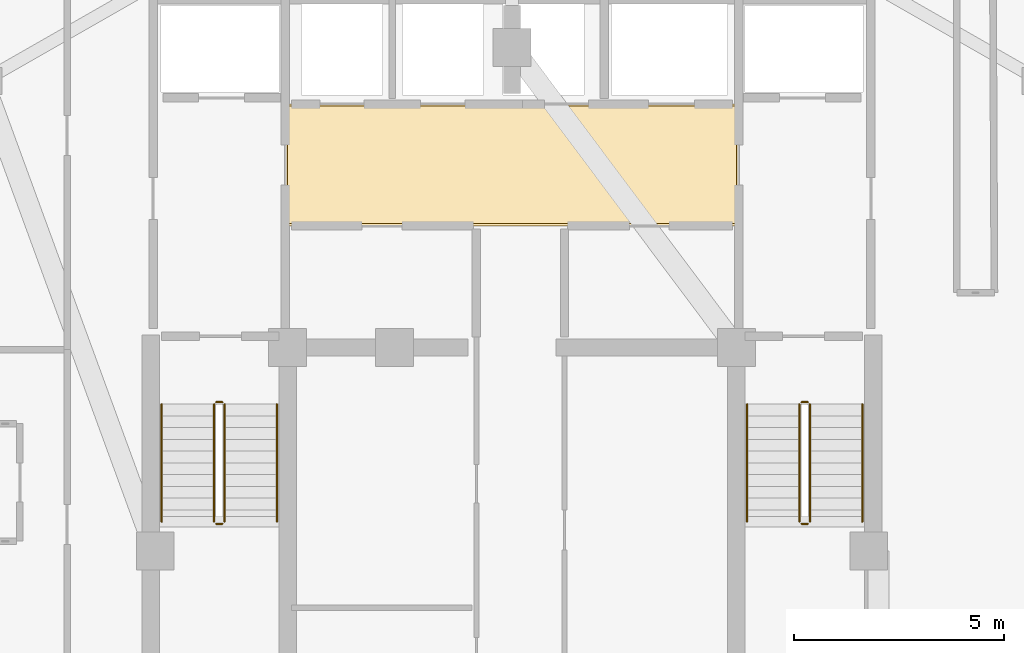
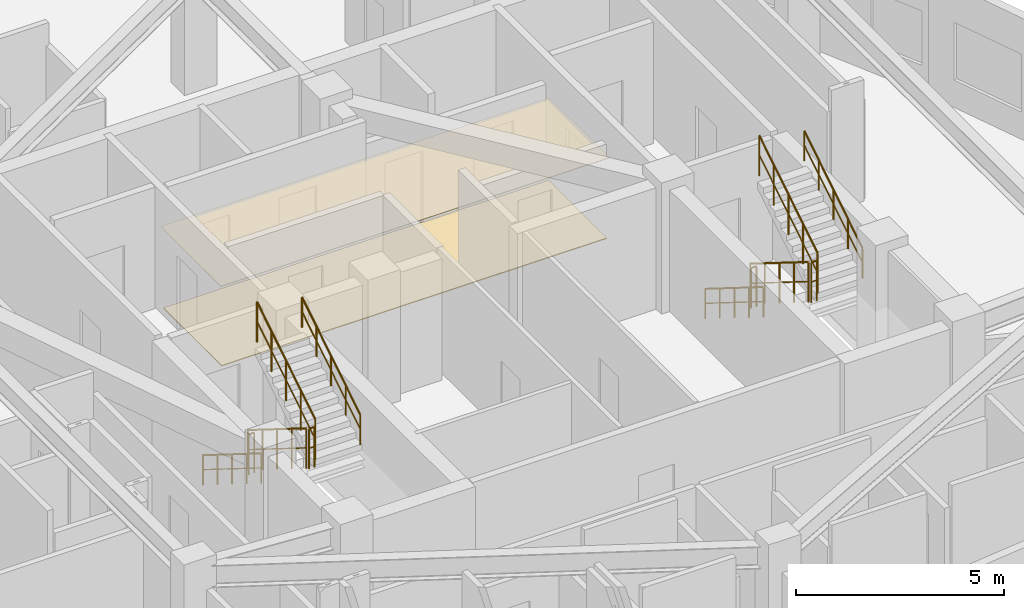
# One storey, part 13 of 13: 12 railings, 2 coverings.
"""IFC4 building model written with IfcOpenShell, lengths in metres."""

import ifcopenshell
import ifcopenshell.guid

model = None  # the IFC model being written
_history = None  # IfcOwnerHistory: only IFC2X3 demands one
_inside = {}  # id of a spatial element -> (the spatial element, [elements in it])
_under = {}  # id of a project, library or spatial element -> (it, [spatial elements below it])
_declared = {}  # id of a project -> (the project, [libraries it declares])
_typed = {}  # id of a type object -> (the type object, [elements of that type])
_made_of = {}  # id of a material, layer set ... -> (it, [elements and type objects made of it])


def new_model(schema):
    """Start an empty IFC model of exactly this schema.

    Asked for "IFC4X3", IfcOpenShell would pick the latest addendum, in which some entities
    have other attributes; the version numbers below select the first issue.
    IFC2X3 requires an IfcOwnerHistory on every rooted entity: one is made here for all.
    """
    global model, _history
    if schema == "IFC4X3":
        model = ifcopenshell.file(schema_version=(4, 3, 0, 0))
    else:
        model = ifcopenshell.file(schema=schema)
    _inside.clear()
    _under.clear()
    _declared.clear()
    _typed.clear()
    _made_of.clear()
    _history = None
    if model.schema == "IFC2X3":
        org = make("IfcOrganization", Name="unknown")
        user = make(
            "IfcPersonAndOrganization",
            ThePerson=make("IfcPerson", FamilyName="unknown"),
            TheOrganization=org,
        )
        app = make(
            "IfcApplication",
            ApplicationDeveloper=org,
            Version="unknown",
            ApplicationFullName="unknown",
            ApplicationIdentifier="unknown",
        )
        _history = make(
            "IfcOwnerHistory",
            OwningUser=user,
            OwningApplication=app,
            ChangeAction="ADDED",
            CreationDate=0,
        )
    return model


def make(cls, **values):
    """One entity of the class cls with the attributes given. An attribute that is None is left unset."""
    return model.create_entity(
        cls, **{name: value for name, value in values.items() if value is not None}
    )


def rooted(cls, **values):
    """An entity with a GlobalId (a new one), such as an element, a storey or a relation."""
    return make(cls, GlobalId=ifcopenshell.guid.new(), OwnerHistory=_history, **values)


def si_unit(unit_type, name, prefix=None):
    """IfcSIUnit, for example si_unit("LENGTHUNIT", "METRE", prefix="MILLI")."""
    return make("IfcSIUnit", UnitType=unit_type, Prefix=prefix, Name=name)


def assignment(units):
    """IfcUnitAssignment: the units of a project."""
    return None if units is None else make("IfcUnitAssignment", Units=units)


def point(xyz):
    """IfcCartesianPoint."""
    return None if xyz is None else make("IfcCartesianPoint", Coordinates=xyz)


def direction(xyz):
    """IfcDirection."""
    return None if xyz is None else make("IfcDirection", DirectionRatios=xyz)


def frame(location, z_axis=None, x_axis=None):
    """IfcAxis2Placement3D, a coordinate frame: its origin and axes. An axis left out is left unset."""
    return make(
        "IfcAxis2Placement3D",
        Location=point(location),
        Axis=direction(z_axis),
        RefDirection=direction(x_axis),
    )


def frame_2d(location, x_axis=None):
    """IfcAxis2Placement2D, a coordinate frame in the plane: its origin and x axis."""
    return make(
        "IfcAxis2Placement2D", Location=point(location), RefDirection=direction(x_axis)
    )


def origin():
    """The frame at (0, 0, 0) with its axes left unset."""
    return frame((0.0, 0.0, 0.0))


def origin_2d():
    """The frame at (0, 0) in the plane with its x axis left unset."""
    return frame_2d((0.0, 0.0))


def place(relative_to, where):
    """IfcLocalPlacement: puts the frame where relative to a parent placement (None: the world)."""
    return make(
        "IfcLocalPlacement", PlacementRelTo=relative_to, RelativePlacement=where
    )


def context(
    kind, dimensions, precision=None, world=None, true_north=None, identifier=None
):
    """IfcGeometricRepresentationContext, for example the 3D "Model" context."""
    return make(
        "IfcGeometricRepresentationContext",
        ContextIdentifier=identifier,
        ContextType=kind,
        CoordinateSpaceDimension=dimensions,
        Precision=precision,
        WorldCoordinateSystem=world,
        TrueNorth=true_north,
    )


def subcontext(parent, identifier, kind, view, scale=None):
    """IfcGeometricRepresentationSubContext, for example "Body" below "Model"."""
    return make(
        "IfcGeometricRepresentationSubContext",
        ContextIdentifier=identifier,
        ContextType=kind,
        ParentContext=parent,
        TargetScale=scale,
        TargetView=view,
    )


def project(units=None, contexts=None):
    """IfcProject with its units and contexts."""
    return rooted(
        "IfcProject",
        Name="project",
        RepresentationContexts=contexts,
        UnitsInContext=assignment(units),
    )


def spatial(cls, under=None, at=None, **own):
    """A site, building, storey or space (cls), placed at a placement, below another one or the project."""
    s = rooted(cls, ObjectPlacement=at, **own)
    if under is not None:
        _under.setdefault(under.id(), (under, []))[1].append(s)
    return s


def polyline(points):
    """IfcPolyline through the points."""
    return make("IfcPolyline", Points=[point(p) for p in points])


def profile(cls, at=None, kind="AREA", **sizes):
    """A parametric profile (cls). Its sizes go by their IFC names, for example OverallWidth=200.0."""
    return make(cls, ProfileType=kind, Position=at, **sizes)


def circle(**sizes):
    """IfcCircleProfileDef."""
    return profile("IfcCircleProfileDef", **sizes)


def outline(outer, holes=None, kind="AREA"):
    """IfcArbitraryClosedProfileDef: a profile drawn as a closed curve; with holes, ...WithVoids."""
    if holes is None:
        return make("IfcArbitraryClosedProfileDef", ProfileType=kind, OuterCurve=outer)
    return make(
        "IfcArbitraryProfileDefWithVoids",
        ProfileType=kind,
        OuterCurve=outer,
        InnerCurves=holes,
    )


def extrude(swept, where, along, depth):
    """IfcExtrudedAreaSolid: the profile swept, set in the frame where, extruded along a direction by depth."""
    return make(
        "IfcExtrudedAreaSolid",
        SweptArea=swept,
        Position=where,
        ExtrudedDirection=direction(along),
        Depth=depth,
    )


def shape(context_of_items, identifier, shape_type, items):
    """IfcShapeRepresentation: the items that make up one representation, for example the "Body"."""
    return make(
        "IfcShapeRepresentation",
        ContextOfItems=context_of_items,
        RepresentationIdentifier=identifier,
        RepresentationType=shape_type,
        Items=items,
    )


def material(Name=None, Category=None):
    """IfcMaterial."""
    return make("IfcMaterial", Name=Name, Category=Category)


def layer(
    of_material, thickness, ventilated=None, Name=None, Category=None, Priority=None
):
    """IfcMaterialLayer: one layer of a wall or slab, of a material (None: an air gap)."""
    return make(
        "IfcMaterialLayer",
        Material=of_material,
        LayerThickness=thickness,
        IsVentilated=ventilated,
        Name=Name,
        Category=Category,
        Priority=Priority,
    )


def layer_set(layers, Name=None):
    """IfcMaterialLayerSet."""
    return make("IfcMaterialLayerSet", MaterialLayers=layers, LayerSetName=Name)


def made_of(thing, what):
    """Note that an element or type object is made of a material, layer set ...; save() writes the relation."""
    if what is not None:
        _made_of.setdefault(what.id(), (what, []))[1].append(thing)
    return thing


def type_object(cls, material=None, **own):
    """A type object (cls), such as IfcWallType, which elements share."""
    return made_of(rooted(cls, **own), material)


def element(
    cls,
    number,
    at=None,
    inside=None,
    cuts=None,
    type_object=None,
    material=None,
    context=None,
    identifier="Body",
    shape_type=None,
    held_by="IfcProductDefinitionShape",
    body=None,
    shapes=None,
    **own,
):
    """One element of the class cls, such as IfcWall. Its Tag is "e" and its number.

    at: its placement. inside: the storey or other place that contains it. cuts: it is an
    opening in that element (IfcRelVoidsElement). A single representation is given by context,
    identifier, shape_type and body (its items); several are given by shapes. held_by: the class
    of the entity that holds the representations. save() writes the other relations.
    """
    e = rooted(cls, Tag="e%d" % number, ObjectPlacement=at, **own)
    if body is not None:
        shapes = [shape(context, identifier, shape_type, body)]
    if shapes is not None:
        e.Representation = make(held_by, Representations=shapes)
    if inside is not None:
        _inside.setdefault(inside.id(), (inside, []))[1].append(e)
    if cuts is not None:
        rooted(
            "IfcRelVoidsElement", RelatingBuildingElement=cuts, RelatedOpeningElement=e
        )
    if type_object is not None:
        _typed.setdefault(type_object.id(), (type_object, []))[1].append(e)
    return made_of(e, material)


def aggregate(whole, parts):
    """IfcRelAggregates: a whole, such as a stair, and the parts it consists of."""
    return rooted("IfcRelAggregates", RelatingObject=whole, RelatedObjects=parts)


def save(model, path):
    """Write the relations noted so far, then the file.

    IfcRelAggregates (storeys below a building ...), IfcRelContainedInSpatialStructure (elements
    in a storey), IfcRelDefinesByType, IfcRelAssociatesMaterial and IfcRelDeclares: one each for
    every whole, place, type object, material and project.
    """
    for whole, parts in _under.values():
        aggregate(whole, parts)
    for where, things in _inside.values():
        rooted(
            "IfcRelContainedInSpatialStructure",
            RelatedElements=things,
            RelatingStructure=where,
        )
    for kind, things in _typed.values():
        rooted("IfcRelDefinesByType", RelatedObjects=things, RelatingType=kind)
    for what, things in _made_of.values():
        rooted("IfcRelAssociatesMaterial", RelatedObjects=things, RelatingMaterial=what)
    for by, libraries in _declared.values():
        rooted("IfcRelDeclares", RelatingContext=by, RelatedDefinitions=libraries)
    model.write(path)


model = new_model("IFC4")

# Units and contexts
model_context = context("Model", 3, precision=1e-05, world=origin(), true_north=direction((0.0, 1.0)))
body_context = subcontext(model_context, "Body", "Model", "MODEL_VIEW")
ifc_project = project(units=[si_unit("LENGTHUNIT", "METRE"), si_unit("AREAUNIT", "SQUARE_METRE"), si_unit("VOLUMEUNIT", "CUBIC_METRE"), si_unit("PLANEANGLEUNIT", "RADIAN"), si_unit("MASSUNIT", "GRAM", prefix="KILO")], contexts=[model_context])

# Site, building, storey
site_placement = place(None, origin())
site = spatial("IfcSite", under=ifc_project, at=site_placement, CompositionType="ELEMENT")
building_placement = place(site_placement, origin())
building = spatial("IfcBuilding", under=site, at=building_placement, Name="Miruveldt Soraemaru", CompositionType="ELEMENT")
storey_placement = place(building_placement, frame((0.0, 0.0, 252.0)))
storey = spatial("IfcBuildingStorey", under=building, at=storey_placement, Name="L69", CompositionType="ELEMENT", Elevation=252.0)

# Coverings
ifc_material_1 = material(Name="Gypsum plasterboard lining", Category="gypsum")
ifc_layer_1 = layer(ifc_material_1, 0.02001953125, Name="Gypsum plasterboard lining", Category="gypsum")
ifc_layer_set_1 = layer_set([ifc_layer_1], Name="Gypsum plasterboard lining")
covering_type_1 = type_object("IfcCoveringType", Name="COV-CEIL-AC", PredefinedType="CEILING", material=ifc_layer_set_1)
covering_1_placement = place(storey_placement, frame((0.0, 0.0, 2.3798828125)))
element("IfcCovering", 1, at=covering_1_placement, inside=storey, type_object=covering_type_1, Name="L69 Lift Lobby Acoustic Ceiling", PredefinedType="CEILING", context=body_context, shape_type="SweptSolid", body=[
    extrude(outline(polyline([(38.60009765625, 46.949951171875), (49.39990234375, 46.949951171875), (49.39990234375, 49.85009765625), (38.60009765625, 49.85009765625), (38.60009765625, 46.949951171875)])), origin(), (0.0, 0.0, 1.0), 0.02001953125),
])
ifc_material_2 = material(Name="Precast concrete C45/55 (45 MPa)", Category="concrete")
ifc_layer_2 = layer(ifc_material_2, 0.02490234375, Name="Precast concrete C45/55 (45 MPa)", Category="concrete")
ifc_layer_set_2 = layer_set([ifc_layer_2], Name="Precast concrete C45/55 (45 MPa)")
covering_type_2 = type_object("IfcCoveringType", Name="COV-FLOR-ST", PredefinedType="FLOORING", material=ifc_layer_set_2)
covering_2_placement = place(storey_placement, origin())
element("IfcCovering", 2, at=covering_2_placement, inside=storey, type_object=covering_type_2, Name="L69 Lift Lobby Stone Flooring", PredefinedType="FLOORING", context=body_context, shape_type="SweptSolid", body=[
    extrude(outline(polyline([(38.64990234375, 47.0), (49.35009765625, 47.0), (49.35009765625, 49.800048828125), (38.64990234375, 49.800048828125), (38.64990234375, 47.0)])), origin(), (0.0, 0.0, 1.0), 0.02490234375),
])

# Railings
ifc_material_3 = material(Name="Steel S355 (355 MPa)", Category="steel")
railing_type_1 = type_object("IfcRailingType", Name="RAIL-HR-900", PredefinedType="HANDRAIL", material=ifc_material_3)
railing_1_placement = place(storey_placement, frame((35.64990234375, 42.699951171875, 0.175048828125)))
element("IfcRailing", 3, at=railing_1_placement, inside=storey, type_object=railing_type_1, Name="L69 ST-1 stair handrail 1", PredefinedType="HANDRAIL", context=body_context, shape_type="SweptSolid", body=[
    extrude(circle(Radius=0.02392578125, at=origin_2d()), frame((0.0, 0.0, 0.8759765625), z_axis=(0.0, -0.848002457836, 0.529992293815), x_axis=(1.0, 0.0, 0.0)), (0.0, 0.0, 1.0), 3.302001953125),
    extrude(circle(Radius=0.01611328125, at=origin_2d()), frame((0.0, 0.0, 0.449951171875), z_axis=(0.0, -0.848002457836, 0.529992293815), x_axis=(1.0, 0.0, 0.0)), (0.0, 0.0, 1.0), 3.302001953125),
    extrude(circle(Radius=0.02099609375, at=origin_2d()), origin(), (0.0, 0.0, 1.0), 0.851806640625),
    extrude(circle(Radius=0.02099609375, at=origin_2d()), frame((0.0, -0.699951171875, 0.4375)), (0.0, 0.0, 1.0), 0.851806640625),
    extrude(circle(Radius=0.02099609375, at=origin_2d()), frame((0.0, -1.39990234375, 0.875)), (0.0, 0.0, 1.0), 0.851806640625),
    extrude(circle(Radius=0.02099609375, at=origin_2d()), frame((0.0, -2.10009765625, 1.3125)), (0.0, 0.0, 1.0), 0.851806640625),
    extrude(circle(Radius=0.02099609375, at=origin_2d()), frame((0.0, -2.800048828125, 1.75)), (0.0, 0.0, 1.0), 0.851806640625),
])
railing_2_placement = place(storey_placement, frame((38.39990234375, 39.89990234375, 2.10009765625)))
element("IfcRailing", 4, at=railing_2_placement, inside=storey, type_object=railing_type_1, Name="L69 ST-1 stair handrail 2", PredefinedType="HANDRAIL", context=body_context, shape_type="SweptSolid", body=[
    extrude(circle(Radius=0.02392578125, at=origin_2d()), frame((0.0, 0.0, 0.8759765625), z_axis=(0.0, 0.848002457836, 0.529992293815), x_axis=(-1.0, 0.0, 0.0)), (0.0, 0.0, 1.0), 3.302001953125),
    extrude(circle(Radius=0.01611328125, at=origin_2d()), frame((0.0, 0.0, 0.449951171875), z_axis=(0.0, 0.848002457836, 0.529992293815), x_axis=(-1.0, 0.0, 0.0)), (0.0, 0.0, 1.0), 3.302001953125),
    extrude(circle(Radius=0.02099609375, at=origin_2d()), origin(), (0.0, 0.0, 1.0), 0.851806640625),
    extrude(circle(Radius=0.02099609375, at=origin_2d()), frame((0.0, 0.699951171875, 0.4375)), (0.0, 0.0, 1.0), 0.851806640625),
    extrude(circle(Radius=0.02099609375, at=origin_2d()), frame((0.0, 1.39990234375, 0.875)), (0.0, 0.0, 1.0), 0.851806640625),
    extrude(circle(Radius=0.02099609375, at=origin_2d()), frame((0.0, 2.10009765625, 1.3125)), (0.0, 0.0, 1.0), 0.851806640625),
    extrude(circle(Radius=0.02099609375, at=origin_2d()), frame((0.0, 2.800048828125, 1.75)), (0.0, 0.0, 1.0), 0.851806640625),
])
railing_3_placement = place(storey_placement, frame((49.60009765625, 42.699951171875, 0.175048828125)))
element("IfcRailing", 5, at=railing_3_placement, inside=storey, type_object=railing_type_1, Name="L69 ST-2 stair handrail 1", PredefinedType="HANDRAIL", context=body_context, shape_type="SweptSolid", body=[
    extrude(circle(Radius=0.02392578125, at=origin_2d()), frame((0.0, 0.0, 0.8759765625), z_axis=(0.0, -0.848002457836, 0.529992293815), x_axis=(1.0, 0.0, 0.0)), (0.0, 0.0, 1.0), 3.302001953125),
    extrude(circle(Radius=0.01611328125, at=origin_2d()), frame((0.0, 0.0, 0.449951171875), z_axis=(0.0, -0.848002457836, 0.529992293815), x_axis=(1.0, 0.0, 0.0)), (0.0, 0.0, 1.0), 3.302001953125),
    extrude(circle(Radius=0.02099609375, at=origin_2d()), origin(), (0.0, 0.0, 1.0), 0.851806640625),
    extrude(circle(Radius=0.02099609375, at=origin_2d()), frame((0.0, -0.699951171875, 0.4375)), (0.0, 0.0, 1.0), 0.851806640625),
    extrude(circle(Radius=0.02099609375, at=origin_2d()), frame((0.0, -1.39990234375, 0.875)), (0.0, 0.0, 1.0), 0.851806640625),
    extrude(circle(Radius=0.02099609375, at=origin_2d()), frame((0.0, -2.10009765625, 1.3125)), (0.0, 0.0, 1.0), 0.851806640625),
    extrude(circle(Radius=0.02099609375, at=origin_2d()), frame((0.0, -2.800048828125, 1.75)), (0.0, 0.0, 1.0), 0.851806640625),
])
railing_4_placement = place(storey_placement, frame((52.35009765625, 39.89990234375, 2.10009765625)))
element("IfcRailing", 6, at=railing_4_placement, inside=storey, type_object=railing_type_1, Name="L69 ST-2 stair handrail 2", PredefinedType="HANDRAIL", context=body_context, shape_type="SweptSolid", body=[
    extrude(circle(Radius=0.02392578125, at=origin_2d()), frame((0.0, 0.0, 0.8759765625), z_axis=(0.0, 0.848002457836, 0.529992293815), x_axis=(-1.0, 0.0, 0.0)), (0.0, 0.0, 1.0), 3.302001953125),
    extrude(circle(Radius=0.01611328125, at=origin_2d()), frame((0.0, 0.0, 0.449951171875), z_axis=(0.0, 0.848002457836, 0.529992293815), x_axis=(-1.0, 0.0, 0.0)), (0.0, 0.0, 1.0), 3.302001953125),
    extrude(circle(Radius=0.02099609375, at=origin_2d()), origin(), (0.0, 0.0, 1.0), 0.851806640625),
    extrude(circle(Radius=0.02099609375, at=origin_2d()), frame((0.0, 0.699951171875, 0.4375)), (0.0, 0.0, 1.0), 0.851806640625),
    extrude(circle(Radius=0.02099609375, at=origin_2d()), frame((0.0, 1.39990234375, 0.875)), (0.0, 0.0, 1.0), 0.851806640625),
    extrude(circle(Radius=0.02099609375, at=origin_2d()), frame((0.0, 2.10009765625, 1.3125)), (0.0, 0.0, 1.0), 0.851806640625),
    extrude(circle(Radius=0.02099609375, at=origin_2d()), frame((0.0, 2.800048828125, 1.75)), (0.0, 0.0, 1.0), 0.851806640625),
])
railing_type_2 = type_object("IfcRailingType", Name="RAIL-STGUARD-1200", PredefinedType="GUARDRAIL", material=ifc_material_3)
railing_5_placement = place(storey_placement, frame((36.89990234375, 42.699951171875, 0.175048828125)))
element("IfcRailing", 7, at=railing_5_placement, inside=storey, type_object=railing_type_2, Name="L69 ST-1 stair guard 1", PredefinedType="GUARDRAIL", context=body_context, shape_type="SweptSolid", body=[
    extrude(circle(Radius=0.02392578125, at=origin_2d()), frame((0.0, 0.0, 1.17578125), z_axis=(0.0, -0.848002457836, 0.529992293815), x_axis=(1.0, 0.0, 0.0)), (0.0, 0.0, 1.0), 3.302001953125),
    extrude(circle(Radius=0.01611328125, at=origin_2d()), frame((0.0, 0.0, 0.60009765625), z_axis=(0.0, -0.848002457836, 0.529992293815), x_axis=(1.0, 0.0, 0.0)), (0.0, 0.0, 1.0), 3.302001953125),
    extrude(circle(Radius=0.02099609375, at=origin_2d()), origin(), (0.0, 0.0, 1.0), 1.15185546875),
    extrude(circle(Radius=0.02099609375, at=origin_2d()), frame((0.0, -0.699951171875, 0.4375)), (0.0, 0.0, 1.0), 1.15185546875),
    extrude(circle(Radius=0.02099609375, at=origin_2d()), frame((0.0, -1.39990234375, 0.875)), (0.0, 0.0, 1.0), 1.15185546875),
    extrude(circle(Radius=0.02099609375, at=origin_2d()), frame((0.0, -2.10009765625, 1.3125)), (0.0, 0.0, 1.0), 1.15185546875),
    extrude(circle(Radius=0.02099609375, at=origin_2d()), frame((0.0, -2.800048828125, 1.75)), (0.0, 0.0, 1.0), 1.15185546875),
])
railing_6_placement = place(storey_placement, frame((36.949951171875, 39.85009765625, 1.925048828125)))
element("IfcRailing", 8, at=railing_6_placement, inside=storey, type_object=railing_type_2, Name="L69 ST-1 stair guard 2", PredefinedType="GUARDRAIL", context=body_context, shape_type="SweptSolid", body=[
    extrude(circle(Radius=0.02392578125, at=origin_2d()), frame((0.0, 0.0, 1.17578125), z_axis=(1.0, 0.0, 0.0), x_axis=(0.0, 1.0, 0.0)), (0.0, 0.0, 1.0), 0.150146484375),
    extrude(circle(Radius=0.01611328125, at=origin_2d()), frame((0.0, 0.0, 0.60009765625), z_axis=(1.0, 0.0, 0.0), x_axis=(0.0, 1.0, 0.0)), (0.0, 0.0, 1.0), 0.150146484375),
    extrude(circle(Radius=0.02099609375, at=origin_2d()), origin(), (0.0, 0.0, 1.0), 1.15185546875),
    extrude(circle(Radius=0.02099609375, at=origin_2d()), frame((0.150146484375, 0.0, 0.0)), (0.0, 0.0, 1.0), 1.15185546875),
])
railing_7_placement = place(storey_placement, frame((37.14990234375, 39.89990234375, 2.10009765625)))
element("IfcRailing", 9, at=railing_7_placement, inside=storey, type_object=railing_type_2, Name="L69 ST-1 stair guard 3", PredefinedType="GUARDRAIL", context=body_context, shape_type="SweptSolid", body=[
    extrude(circle(Radius=0.02392578125, at=origin_2d()), frame((0.0, 0.0, 1.17578125), z_axis=(0.0, 0.848002457836, 0.529992293815), x_axis=(-1.0, 0.0, 0.0)), (0.0, 0.0, 1.0), 3.302001953125),
    extrude(circle(Radius=0.01611328125, at=origin_2d()), frame((0.0, 0.0, 0.60009765625), z_axis=(0.0, 0.848002457836, 0.529992293815), x_axis=(-1.0, 0.0, 0.0)), (0.0, 0.0, 1.0), 3.302001953125),
    extrude(circle(Radius=0.02099609375, at=origin_2d()), origin(), (0.0, 0.0, 1.0), 1.15185546875),
    extrude(circle(Radius=0.02099609375, at=origin_2d()), frame((0.0, 0.699951171875, 0.4375)), (0.0, 0.0, 1.0), 1.15185546875),
    extrude(circle(Radius=0.02099609375, at=origin_2d()), frame((0.0, 1.39990234375, 0.875)), (0.0, 0.0, 1.0), 1.15185546875),
    extrude(circle(Radius=0.02099609375, at=origin_2d()), frame((0.0, 2.10009765625, 1.3125)), (0.0, 0.0, 1.0), 1.15185546875),
    extrude(circle(Radius=0.02099609375, at=origin_2d()), frame((0.0, 2.800048828125, 1.75)), (0.0, 0.0, 1.0), 1.15185546875),
])
railing_8_placement = place(storey_placement, frame((36.949951171875, 42.75, 0.0)))
element("IfcRailing", 10, at=railing_8_placement, inside=storey, type_object=railing_type_2, Name="L69 ST-1 stair guard 4", PredefinedType="GUARDRAIL", context=body_context, shape_type="SweptSolid", body=[
    extrude(circle(Radius=0.02392578125, at=origin_2d()), frame((0.0, 0.0, 1.17578125), z_axis=(1.0, 0.0, 0.0), x_axis=(0.0, 1.0, 0.0)), (0.0, 0.0, 1.0), 0.150146484375),
    extrude(circle(Radius=0.01611328125, at=origin_2d()), frame((0.0, 0.0, 0.60009765625), z_axis=(1.0, 0.0, 0.0), x_axis=(0.0, 1.0, 0.0)), (0.0, 0.0, 1.0), 0.150146484375),
    extrude(circle(Radius=0.02099609375, at=origin_2d()), origin(), (0.0, 0.0, 1.0), 1.15185546875),
    extrude(circle(Radius=0.02099609375, at=origin_2d()), frame((0.150146484375, 0.0, 0.0)), (0.0, 0.0, 1.0), 1.15185546875),
])
railing_9_placement = place(storey_placement, frame((50.85009765625, 42.699951171875, 0.175048828125)))
element("IfcRailing", 11, at=railing_9_placement, inside=storey, type_object=railing_type_2, Name="L69 ST-2 stair guard 1", PredefinedType="GUARDRAIL", context=body_context, shape_type="SweptSolid", body=[
    extrude(circle(Radius=0.02392578125, at=origin_2d()), frame((0.0, 0.0, 1.17578125), z_axis=(0.0, -0.848002457836, 0.529992293815), x_axis=(1.0, 0.0, 0.0)), (0.0, 0.0, 1.0), 3.302001953125),
    extrude(circle(Radius=0.01611328125, at=origin_2d()), frame((0.0, 0.0, 0.60009765625), z_axis=(0.0, -0.848002457836, 0.529992293815), x_axis=(1.0, 0.0, 0.0)), (0.0, 0.0, 1.0), 3.302001953125),
    extrude(circle(Radius=0.02099609375, at=origin_2d()), origin(), (0.0, 0.0, 1.0), 1.15185546875),
    extrude(circle(Radius=0.02099609375, at=origin_2d()), frame((0.0, -0.699951171875, 0.4375)), (0.0, 0.0, 1.0), 1.15185546875),
    extrude(circle(Radius=0.02099609375, at=origin_2d()), frame((0.0, -1.39990234375, 0.875)), (0.0, 0.0, 1.0), 1.15185546875),
    extrude(circle(Radius=0.02099609375, at=origin_2d()), frame((0.0, -2.10009765625, 1.3125)), (0.0, 0.0, 1.0), 1.15185546875),
    extrude(circle(Radius=0.02099609375, at=origin_2d()), frame((0.0, -2.800048828125, 1.75)), (0.0, 0.0, 1.0), 1.15185546875),
])
railing_10_placement = place(storey_placement, frame((50.89990234375, 39.85009765625, 1.925048828125)))
element("IfcRailing", 12, at=railing_10_placement, inside=storey, type_object=railing_type_2, Name="L69 ST-2 stair guard 2", PredefinedType="GUARDRAIL", context=body_context, shape_type="SweptSolid", body=[
    extrude(circle(Radius=0.02392578125, at=origin_2d()), frame((0.0, 0.0, 1.17578125), z_axis=(1.0, 0.0, 0.0), x_axis=(0.0, 1.0, 0.0)), (0.0, 0.0, 1.0), 0.150146484375),
    extrude(circle(Radius=0.01611328125, at=origin_2d()), frame((0.0, 0.0, 0.60009765625), z_axis=(1.0, 0.0, 0.0), x_axis=(0.0, 1.0, 0.0)), (0.0, 0.0, 1.0), 0.150146484375),
    extrude(circle(Radius=0.02099609375, at=origin_2d()), origin(), (0.0, 0.0, 1.0), 1.15185546875),
    extrude(circle(Radius=0.02099609375, at=origin_2d()), frame((0.150146484375, 0.0, 0.0)), (0.0, 0.0, 1.0), 1.15185546875),
])
railing_11_placement = place(storey_placement, frame((51.10009765625, 39.89990234375, 2.10009765625)))
element("IfcRailing", 13, at=railing_11_placement, inside=storey, type_object=railing_type_2, Name="L69 ST-2 stair guard 3", PredefinedType="GUARDRAIL", context=body_context, shape_type="SweptSolid", body=[
    extrude(circle(Radius=0.02392578125, at=origin_2d()), frame((0.0, 0.0, 1.17578125), z_axis=(0.0, 0.848002457836, 0.529992293815), x_axis=(-1.0, 0.0, 0.0)), (0.0, 0.0, 1.0), 3.302001953125),
    extrude(circle(Radius=0.01611328125, at=origin_2d()), frame((0.0, 0.0, 0.60009765625), z_axis=(0.0, 0.848002457836, 0.529992293815), x_axis=(-1.0, 0.0, 0.0)), (0.0, 0.0, 1.0), 3.302001953125),
    extrude(circle(Radius=0.02099609375, at=origin_2d()), origin(), (0.0, 0.0, 1.0), 1.15185546875),
    extrude(circle(Radius=0.02099609375, at=origin_2d()), frame((0.0, 0.699951171875, 0.4375)), (0.0, 0.0, 1.0), 1.15185546875),
    extrude(circle(Radius=0.02099609375, at=origin_2d()), frame((0.0, 1.39990234375, 0.875)), (0.0, 0.0, 1.0), 1.15185546875),
    extrude(circle(Radius=0.02099609375, at=origin_2d()), frame((0.0, 2.10009765625, 1.3125)), (0.0, 0.0, 1.0), 1.15185546875),
    extrude(circle(Radius=0.02099609375, at=origin_2d()), frame((0.0, 2.800048828125, 1.75)), (0.0, 0.0, 1.0), 1.15185546875),
])
railing_12_placement = place(storey_placement, frame((50.89990234375, 42.75, 0.0)))
element("IfcRailing", 14, at=railing_12_placement, inside=storey, type_object=railing_type_2, Name="L69 ST-2 stair guard 4", PredefinedType="GUARDRAIL", context=body_context, shape_type="SweptSolid", body=[
    extrude(circle(Radius=0.02392578125, at=origin_2d()), frame((0.0, 0.0, 1.17578125), z_axis=(1.0, 0.0, 0.0), x_axis=(0.0, 1.0, 0.0)), (0.0, 0.0, 1.0), 0.150146484375),
    extrude(circle(Radius=0.01611328125, at=origin_2d()), frame((0.0, 0.0, 0.60009765625), z_axis=(1.0, 0.0, 0.0), x_axis=(0.0, 1.0, 0.0)), (0.0, 0.0, 1.0), 0.150146484375),
    extrude(circle(Radius=0.02099609375, at=origin_2d()), origin(), (0.0, 0.0, 1.0), 1.15185546875),
    extrude(circle(Radius=0.02099609375, at=origin_2d()), frame((0.150146484375, 0.0, 0.0)), (0.0, 0.0, 1.0), 1.15185546875),
])

save(model, "model.ifc")
